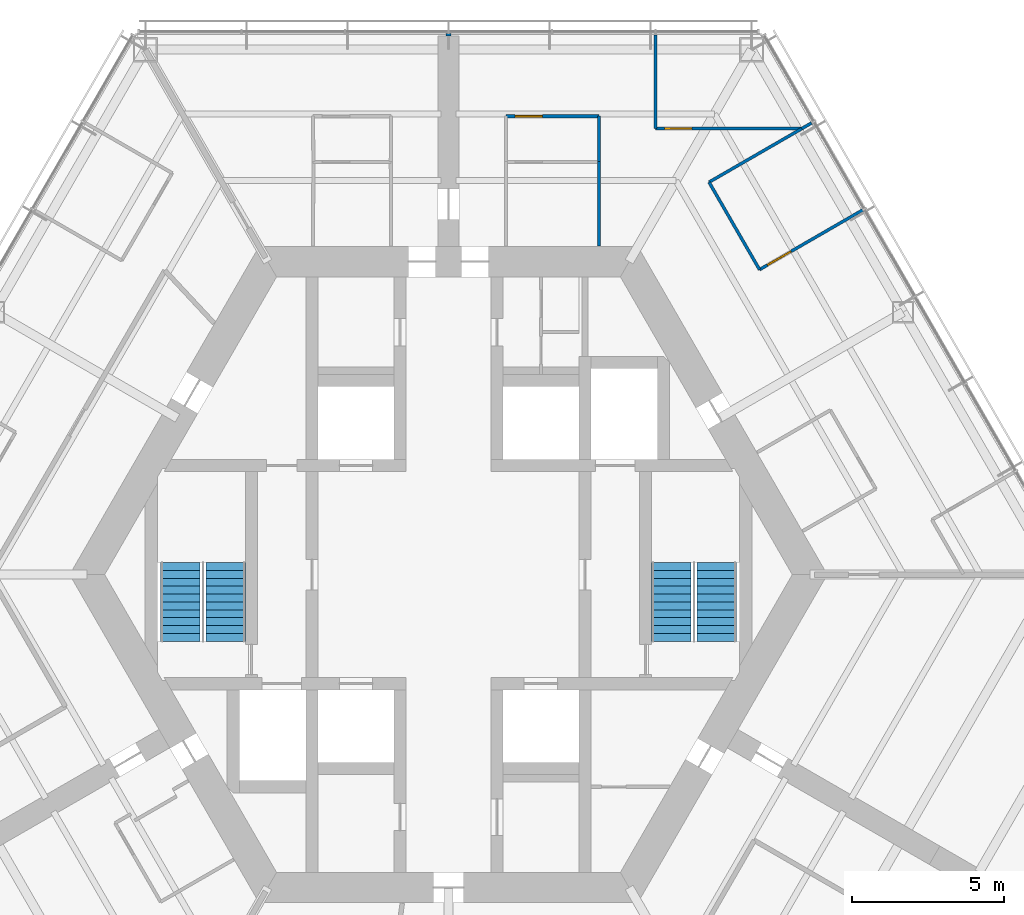
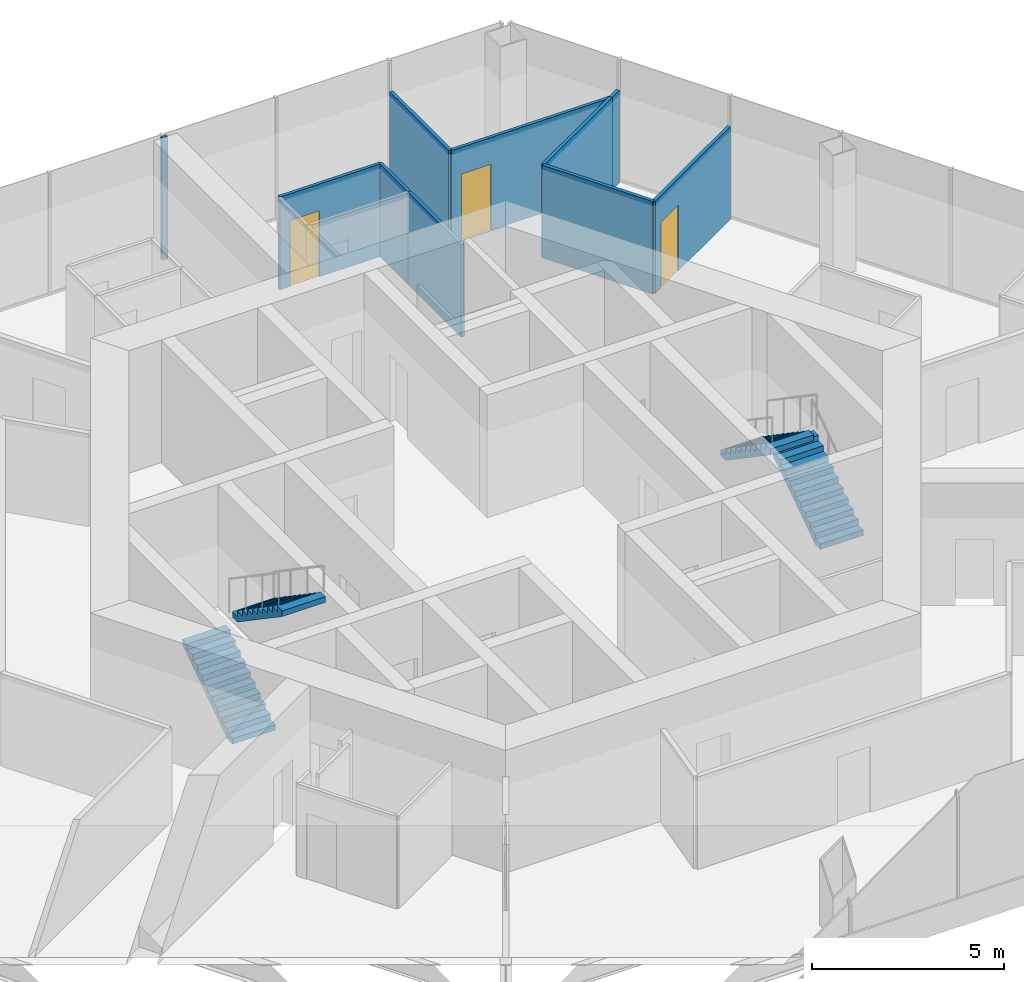
# One storey, part 15 of 18: 10 walls, 4 stair flights, 3 doors, 3 openings, 2 elements without a shape of their own.
"""IFC4 building model written with IfcOpenShell, lengths in metres."""

from ifc_helpers import new_model, si_unit, direction, frame, frame_2d, origin, place, context, subcontext, project, spatial, polyline, rectangle, outline, extrude, material, layer, layer_set, type_object, element, fill, aggregate, save


model = new_model("IFC4")

# Units and contexts
model_context = context("Model", 3, precision=1e-05, world=origin(), true_north=direction((0.0, 1.0)))
body_context = subcontext(model_context, "Body", "Model", "MODEL_VIEW")
ifc_project = project(units=[si_unit("LENGTHUNIT", "METRE"), si_unit("AREAUNIT", "SQUARE_METRE"), si_unit("VOLUMEUNIT", "CUBIC_METRE"), si_unit("PLANEANGLEUNIT", "RADIAN"), si_unit("MASSUNIT", "GRAM", prefix="KILO")], contexts=[model_context])

# Site, building, storey
site_placement = place(None, origin())
site = spatial("IfcSite", under=ifc_project, at=site_placement, CompositionType="ELEMENT")
building_placement = place(site_placement, origin())
building = spatial("IfcBuilding", under=site, at=building_placement, Name="Kasaneha Research Tower", CompositionType="ELEMENT")
storey_placement = place(building_placement, frame((0.0, 0.0, 148.699951171875)))
storey = spatial("IfcBuildingStorey", under=building, at=storey_placement, Name="L37", CompositionType="ELEMENT", Elevation=148.699951171875)

# Wall
ifc_material_1 = material(Name="Gypsum board on steel studs, one layer each side", Category="steel")
ifc_layer_1 = layer(ifc_material_1, 0.10009765625)
ifc_layer_set_1 = layer_set([ifc_layer_1], Name="Office partition 100")
wall_type_1 = type_object("IfcWallType", Name="Office partition 100", PredefinedType="PARTITIONING", material=ifc_layer_set_1)
wall_1_placement = place(storey_placement, frame((4.96630859375, 13.625, 0.0), z_axis=(0.0, 0.0, 1.0), x_axis=(0.001668567099, -0.999998607941, 0.0)))
element("IfcWall", 1, at=wall_1_placement, inside=storey, type_object=wall_type_1, Name="Office partition FAE03 L37", PredefinedType="PARTITIONING", context=body_context, shape_type="SweptSolid", body=[
    extrude(rectangle(XDim=2.780029296875, YDim=0.10009765625, at=frame_2d((1.39013671875, 0.0))), origin(), (0.0, 0.0, 1.0), 2.949951171875),
])

# Wall, opening, door
wall_2_placement = place(storey_placement, frame((1.89990234375, 15.125, 0.0), z_axis=(0.0, 0.0, 1.0), x_axis=(1.0, 0.0, 0.0)))
wall_2 = element("IfcWall", 2, at=wall_2_placement, inside=storey, type_object=wall_type_1, Name="Office partition FAE04 L37", PredefinedType="PARTITIONING", context=body_context, shape_type="SweptSolid", body=[
    extrude(rectangle(XDim=3.071044921875, YDim=0.10009765625, at=frame_2d((1.53564453125, 0.0))), origin(), (0.0, 0.0, 1.0), 2.949951171875),
])
opening_1_placement = place(wall_2_placement, frame((0.300048828125, 0.0, 0.0)))
opening_1 = element("IfcOpeningElement", 3, at=opening_1_placement, cuts=wall_2, Name="Opening L37-D27", PredefinedType="OPENING", context=body_context, shape_type="SweptSolid", body=[
    extrude(rectangle(XDim=0.89990234375, YDim=2.10009765625, at=frame_2d((0.449951171875, 1.050048828125))), frame((0.0, 0.06005859375, 0.0), z_axis=(0.0, -1.0, 0.0), x_axis=(1.0, 0.0, 0.0)), (0.0, 0.0, 1.0), 0.1201171875),
])
ifc_material_2 = material(Name="Steel", Category="steel")
door_type_1 = type_object("IfcDoorType", Name="Toilet lobby door FD30 900x2100", OperationType="NOTDEFINED", PredefinedType="DOOR", material=ifc_material_2)
door_1_placement = place(opening_1_placement, origin())
door_1 = element("IfcDoor", 4, at=door_1_placement, inside=storey, type_object=door_type_1, Name="Toilet lobby door L37-D27", OperationType="SINGLE_SWING_LEFT", OverallHeight=2.10009765625, OverallWidth=0.89990234375, PredefinedType="DOOR", context=body_context, shape_type="SweptSolid", body=[
    extrude(rectangle(XDim=0.89990234375, YDim=2.10009765625, at=frame_2d((0.449951171875, 1.050048828125))), frame((0.0, 0.02490234375, 0.0), z_axis=(0.0, -1.0, 0.0), x_axis=(1.0, 0.0, 0.0)), (0.0, 0.0, 1.0), 0.050048828125),
])
fill(opening_1, door_1)

# Walls
wall_3_placement = place(storey_placement, frame((4.970947265625, 15.125, 0.0), z_axis=(0.0, 0.0, 1.0), x_axis=(-0.00309243313, -0.999995218417, 0.0)))
element("IfcWall", 5, at=wall_3_placement, inside=storey, type_object=wall_type_1, Name="Office partition FAE06 L37", PredefinedType="PARTITIONING", context=body_context, shape_type="SweptSolid", body=[
    extrude(rectangle(XDim=1.5, YDim=0.10009765625, at=frame_2d((0.75, 0.0))), origin(), (0.0, 0.0, 1.0), 2.949951171875),
])
wall_4_placement = place(storey_placement, frame((11.6552734375, 14.714599609375, 0.0), z_axis=(0.0, 0.0, 1.0), x_axis=(0.866391722141, 0.499364980557, 0.0)))
element("IfcWall", 6, at=wall_4_placement, inside=storey, type_object=wall_type_1, Name="Office partition FAE10 L37", PredefinedType="PARTITIONING", context=body_context, shape_type="SweptSolid", body=[
    extrude(rectangle(XDim=0.37451171875, YDim=0.10009765625, at=frame_2d((0.187255859375, 0.0))), origin(), (0.0, 0.0, 1.0), 2.949951171875),
])
wall_5_placement = place(storey_placement, frame((8.597900390625, 12.94921875, 0.0), z_axis=(0.0, 0.0, 1.0), x_axis=(0.865996321171, 0.50005036918, 0.0)))
element("IfcWall", 7, at=wall_5_placement, inside=storey, type_object=wall_type_1, Name="Office partition FAE11 L37", PredefinedType="PARTITIONING", context=body_context, shape_type="SweptSolid", body=[
    extrude(rectangle(XDim=3.544677734375, YDim=0.10009765625, at=frame_2d((1.7724609375, 0.0))), origin(), (0.0, 0.0, 1.0), 2.949951171875),
])
wall_6_placement = place(storey_placement, frame((10.26318359375, 10.064453125, 0.0), z_axis=(0.0, 0.0, 1.0), x_axis=(-0.499946633866, 0.866056212544, 0.0)))
element("IfcWall", 8, at=wall_6_placement, inside=storey, type_object=wall_type_1, Name="Office partition FAE12 L37", PredefinedType="PARTITIONING", context=body_context, shape_type="SweptSolid", body=[
    extrude(rectangle(XDim=3.330810546875, YDim=0.10009765625, at=frame_2d((1.66552734375, 0.0))), origin(), (0.0, 0.0, 1.0), 2.949951171875),
])

# Wall, opening, door
wall_7_placement = place(storey_placement, frame((13.666748046875, 12.029541015625, 0.0), z_axis=(0.0, 0.0, 1.0), x_axis=(-0.866021102686, -0.500007449647, 0.0)))
wall_7 = element("IfcWall", 9, at=wall_7_placement, inside=storey, type_object=wall_type_1, Name="Office partition FAE13 L37", PredefinedType="PARTITIONING", context=body_context, shape_type="SweptSolid", body=[
    extrude(rectangle(XDim=3.93017578125, YDim=0.10009765625, at=frame_2d((1.965087890625, 0.0))), origin(), (0.0, 0.0, 1.0), 2.949951171875),
])
opening_2_placement = place(wall_7_placement, frame((2.72998046875, 0.0, 0.0)))
opening_2 = element("IfcOpeningElement", 10, at=opening_2_placement, cuts=wall_7, Name="Opening L37-D29", PredefinedType="OPENING", context=body_context, shape_type="SweptSolid", body=[
    extrude(rectangle(XDim=0.89990234375, YDim=2.10009765625, at=frame_2d((0.449951171875, 1.050048828125))), frame((0.0, 0.06005859375, 0.0), z_axis=(0.0, -1.0, 0.0), x_axis=(1.0, 0.0, 0.0)), (0.0, 0.0, 1.0), 0.1201171875),
])
ifc_material_3 = material(Name="Timber veneer", Category="wood")
door_type_2 = type_object("IfcDoorType", Name="Office door 900x2100", OperationType="SINGLE_SWING_LEFT", PredefinedType="DOOR", material=ifc_material_3)
door_2_placement = place(opening_2_placement, origin())
door_2 = element("IfcDoor", 11, at=door_2_placement, inside=storey, type_object=door_type_2, Name="Meeting room door L37-D29", OperationType="SINGLE_SWING_RIGHT", OverallHeight=2.10009765625, OverallWidth=0.89990234375, PredefinedType="DOOR", context=body_context, shape_type="SweptSolid", body=[
    extrude(rectangle(XDim=0.89990234375, YDim=2.10009765625, at=frame_2d((0.449951171875, 1.050048828125))), frame((0.0, 0.02490234375, 0.0), z_axis=(0.0, -1.0, 0.0), x_axis=(1.0, 0.0, 0.0)), (0.0, 0.0, 1.0), 0.050048828125),
])
fill(opening_2, door_2)

# Wall
wall_8_placement = place(storey_placement, frame((6.830810546875, 14.720458984375, 0.0), z_axis=(0.0, 0.0, 1.0), x_axis=(0.0, 1.0, 0.0)))
element("IfcWall", 12, at=wall_8_placement, inside=storey, type_object=wall_type_1, Name="Office partition FAE16 L37", PredefinedType="PARTITIONING", context=body_context, shape_type="SweptSolid", body=[
    extrude(rectangle(XDim=3.080078125, YDim=0.10009765625, at=frame_2d((1.5400390625, 0.0))), origin(), (0.0, 0.0, 1.0), 2.949951171875),
])

# Wall, opening, door
wall_9_placement = place(storey_placement, frame((11.66748046875, 14.7216796875, 0.0), z_axis=(0.0, 0.0, 1.0), x_axis=(-0.999999968151, -0.000252385031, 0.0)))
wall_9 = element("IfcWall", 13, at=wall_9_placement, inside=storey, type_object=wall_type_1, Name="Office partition FAE17 L37", PredefinedType="PARTITIONING", context=body_context, shape_type="SweptSolid", body=[
    extrude(rectangle(XDim=4.836669921875, YDim=0.10009765625, at=frame_2d((2.41845703125, 0.0))), origin(), (0.0, 0.0, 1.0), 2.949951171875),
])
opening_3_placement = place(wall_9_placement, frame((3.63671875, 0.0, 0.0)))
opening_3 = element("IfcOpeningElement", 14, at=opening_3_placement, cuts=wall_9, Name="Opening L37-D31", PredefinedType="OPENING", context=body_context, shape_type="SweptSolid", body=[
    extrude(rectangle(XDim=0.89990234375, YDim=2.10009765625, at=frame_2d((0.449951171875, 1.050048828125))), frame((0.0, 0.06005859375, 0.0), z_axis=(0.0, -1.0, 0.0), x_axis=(1.0, 0.0, 0.0)), (0.0, 0.0, 1.0), 0.1201171875),
])
door_3_placement = place(opening_3_placement, origin())
door_3 = element("IfcDoor", 15, at=door_3_placement, inside=storey, type_object=door_type_2, Name="Workroom door L37-D31", OperationType="SINGLE_SWING_RIGHT", OverallHeight=2.10009765625, OverallWidth=0.89990234375, PredefinedType="DOOR", context=body_context, shape_type="SweptSolid", body=[
    extrude(rectangle(XDim=0.89990234375, YDim=2.10009765625, at=frame_2d((0.449951171875, 1.050048828125))), frame((0.0, 0.02490234375, 0.0), z_axis=(0.0, -1.0, 0.0), x_axis=(1.0, 0.0, 0.0)), (0.0, 0.0, 1.0), 0.050048828125),
])
fill(opening_3, door_3)

# Wall
ifc_material_4 = material(Name="Gypsum board on steel studs, two layers each side", Category="steel")
ifc_layer_2 = layer(ifc_material_4, 0.175048828125)
ifc_layer_set_2 = layer_set([ifc_layer_2], Name="Tenancy fire partition 175")
wall_type_2 = type_object("IfcWallType", Name="Tenancy fire partition 175", PredefinedType="PARTITIONING", material=ifc_layer_set_2)
wall_10_placement = place(storey_placement, frame((0.0, 17.7705078125, 0.0), z_axis=(0.0, 0.0, 1.0), x_axis=(0.0, 1.0, 0.0)))
element("IfcWall", 16, at=wall_10_placement, inside=storey, type_object=wall_type_2, Name="Spine wall closer SW3-700 L37", PredefinedType="PARTITIONING", context=body_context, shape_type="SweptSolid", body=[
    extrude(rectangle(XDim=0.080078125, YDim=0.175048828125, at=frame_2d((0.0400390625, 0.0))), origin(), (0.0, 0.0, 1.0), 3.900146484375),
])

# Stair, stair flights
ifc_material_5 = material(Name="Concrete Fc24", Category="concrete")
stair_type = type_object("IfcStairType", Name="Half-turn stair 22 risers", PredefinedType="HALF_TURN_STAIR", material=ifc_material_5)
stair_1_placement = place(storey_placement, origin())
stair_1 = element("IfcStair", 17, at=stair_1_placement, inside=storey, type_object=stair_type, Name="Stair 1 L37", PredefinedType="HALF_TURN_STAIR")
ifc_material_6 = material(Name="Concrete Fc24", Category="concrete")
stair_flight_type = type_object("IfcStairFlightType", Name="Stair flight 11 risers 177.3", PredefinedType="STRAIGHT", material=ifc_material_6)
stair_flight_1_placement = place(storey_placement, frame((8.85009765625, -2.199951171875, 0.0), z_axis=(0.0, 0.0, 1.0), x_axis=(0.0, 1.0, 0.0)))
stair_flight_1 = element("IfcStairFlight", 18, at=stair_flight_1_placement, type_object=stair_flight_type, Name="ST1-22R flight 1", NumberOfRisers=11, NumberOfTreads=10, PredefinedType="STRAIGHT", RiserHeight=0.177272727, TreadLength=0.26, context=body_context, shape_type="SweptSolid", body=[
    extrude(outline(polyline([(0.0, 0.0), (0.0, 0.17724609375), (0.260009765625, 0.17724609375), (0.260009765625, 0.3544921875), (0.52001953125, 0.3544921875), (0.52001953125, 0.53173828125), (0.780029296875, 0.53173828125), (0.780029296875, 0.708984375), (1.0400390625, 0.708984375), (1.0400390625, 0.886474609375), (1.300048828125, 0.886474609375), (1.300048828125, 1.063720703125), (1.56005859375, 1.063720703125), (1.56005859375, 1.240966796875), (1.820068359375, 1.240966796875), (1.820068359375, 1.418212890625), (2.080078125, 1.418212890625), (2.080078125, 1.595458984375), (2.340087890625, 1.595458984375), (2.340087890625, 1.772705078125), (2.60009765625, 1.772705078125), (2.60009765625, 1.949951171875), (2.60009765625, 1.59130859375), (0.26611328125, 0.0), (0.0, 0.0)])), frame((0.0, 0.64990234375, 0.0), z_axis=(0.0, -1.0, 0.0), x_axis=(1.0, 0.0, 0.0)), (0.0, 0.0, 1.0), 1.300048828125),
])
stair_flight_2_placement = place(storey_placement, frame((7.35009765625, 0.39990234375, 1.949951171875), z_axis=(0.0, 0.0, 1.0), x_axis=(0.0, -1.0, 0.0)))
stair_flight_2 = element("IfcStairFlight", 19, at=stair_flight_2_placement, type_object=stair_flight_type, Name="ST1-22R flight 2", NumberOfRisers=11, NumberOfTreads=10, PredefinedType="STRAIGHT", RiserHeight=0.177272727, TreadLength=0.26, context=body_context, shape_type="SweptSolid", body=[
    extrude(outline(polyline([(0.0, 0.0), (0.0, 0.17724609375), (0.260009765625, 0.17724609375), (0.260009765625, 0.3544921875), (0.52001953125, 0.3544921875), (0.52001953125, 0.53173828125), (0.780029296875, 0.53173828125), (0.780029296875, 0.708984375), (1.0400390625, 0.708984375), (1.0400390625, 0.886474609375), (1.300048828125, 0.886474609375), (1.300048828125, 1.063720703125), (1.56005859375, 1.063720703125), (1.56005859375, 1.240966796875), (1.820068359375, 1.240966796875), (1.820068359375, 1.418212890625), (2.080078125, 1.418212890625), (2.080078125, 1.595458984375), (2.340087890625, 1.595458984375), (2.340087890625, 1.772705078125), (2.60009765625, 1.772705078125), (2.60009765625, 1.949951171875), (2.60009765625, 1.59130859375), (0.26611328125, 0.0), (0.0, 0.0)])), frame((0.0, 0.64990234375, 0.0), z_axis=(0.0, -1.0, 0.0), x_axis=(1.0, 0.0, 0.0)), (0.0, 0.0, 1.0), 1.300048828125),
])
aggregate(stair_1, [stair_flight_1, stair_flight_2])

stair_2_placement = place(storey_placement, origin())
stair_2 = element("IfcStair", 20, at=stair_2_placement, inside=storey, type_object=stair_type, Name="Stair 2 L37", PredefinedType="HALF_TURN_STAIR")
stair_flight_3_placement = place(storey_placement, frame((-8.85009765625, -2.199951171875, 0.0), z_axis=(0.0, 0.0, 1.0), x_axis=(0.0, 1.0, 0.0)))
stair_flight_3 = element("IfcStairFlight", 21, at=stair_flight_3_placement, type_object=stair_flight_type, Name="ST2-22R flight 1", NumberOfRisers=11, NumberOfTreads=10, PredefinedType="STRAIGHT", RiserHeight=0.177272727, TreadLength=0.26, context=body_context, shape_type="SweptSolid", body=[
    extrude(outline(polyline([(0.0, 0.0), (0.0, 0.17724609375), (0.260009765625, 0.17724609375), (0.260009765625, 0.3544921875), (0.52001953125, 0.3544921875), (0.52001953125, 0.53173828125), (0.780029296875, 0.53173828125), (0.780029296875, 0.708984375), (1.0400390625, 0.708984375), (1.0400390625, 0.886474609375), (1.300048828125, 0.886474609375), (1.300048828125, 1.063720703125), (1.56005859375, 1.063720703125), (1.56005859375, 1.240966796875), (1.820068359375, 1.240966796875), (1.820068359375, 1.418212890625), (2.080078125, 1.418212890625), (2.080078125, 1.595458984375), (2.340087890625, 1.595458984375), (2.340087890625, 1.772705078125), (2.60009765625, 1.772705078125), (2.60009765625, 1.949951171875), (2.60009765625, 1.59130859375), (0.26611328125, 0.0), (0.0, 0.0)])), frame((0.0, 0.64990234375, 0.0), z_axis=(0.0, -1.0, 0.0), x_axis=(1.0, 0.0, 0.0)), (0.0, 0.0, 1.0), 1.300048828125),
])
stair_flight_4_placement = place(storey_placement, frame((-7.35009765625, 0.39990234375, 1.949951171875), z_axis=(0.0, 0.0, 1.0), x_axis=(0.0, -1.0, 0.0)))
stair_flight_4 = element("IfcStairFlight", 22, at=stair_flight_4_placement, type_object=stair_flight_type, Name="ST2-22R flight 2", NumberOfRisers=11, NumberOfTreads=10, PredefinedType="STRAIGHT", RiserHeight=0.177272727, TreadLength=0.26, context=body_context, shape_type="SweptSolid", body=[
    extrude(outline(polyline([(0.0, 0.0), (0.0, 0.17724609375), (0.260009765625, 0.17724609375), (0.260009765625, 0.3544921875), (0.52001953125, 0.3544921875), (0.52001953125, 0.53173828125), (0.780029296875, 0.53173828125), (0.780029296875, 0.708984375), (1.0400390625, 0.708984375), (1.0400390625, 0.886474609375), (1.300048828125, 0.886474609375), (1.300048828125, 1.063720703125), (1.56005859375, 1.063720703125), (1.56005859375, 1.240966796875), (1.820068359375, 1.240966796875), (1.820068359375, 1.418212890625), (2.080078125, 1.418212890625), (2.080078125, 1.595458984375), (2.340087890625, 1.595458984375), (2.340087890625, 1.772705078125), (2.60009765625, 1.772705078125), (2.60009765625, 1.949951171875), (2.60009765625, 1.59130859375), (0.26611328125, 0.0), (0.0, 0.0)])), frame((0.0, 0.64990234375, 0.0), z_axis=(0.0, -1.0, 0.0), x_axis=(1.0, 0.0, 0.0)), (0.0, 0.0, 1.0), 1.300048828125),
])
aggregate(stair_2, [stair_flight_3, stair_flight_4])

save(model, "model.ifc")
